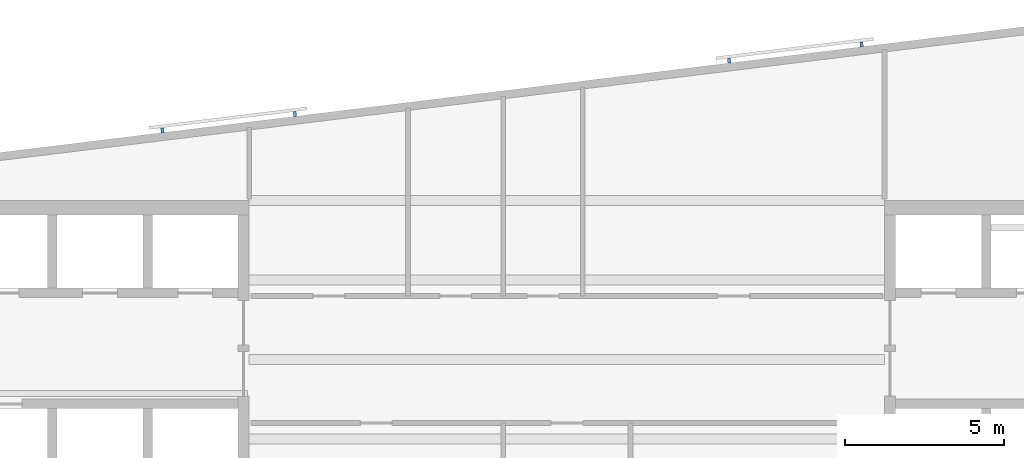
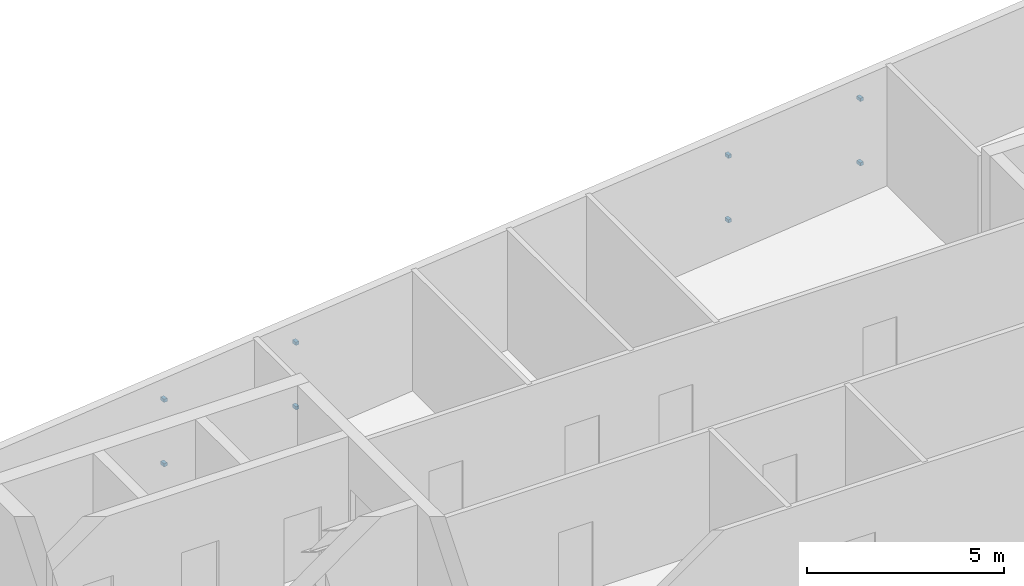
# One storey, part 11 of 14: 8 discrete accessories.
"""IFC4 building model written with IfcOpenShell, lengths in metres."""

from ifc_helpers import new_model, si_unit, direction, frame, origin, origin_2d, place, context, subcontext, project, spatial, rectangle, extrude, material, type_object, element, save


model = new_model("IFC4")

# Units and contexts
model_context = context("Model", 3, precision=1e-05, world=origin(), true_north=direction((0.0, 1.0)))
body_context = subcontext(model_context, "Body", "Model", "MODEL_VIEW")
ifc_project = project(units=[si_unit("LENGTHUNIT", "METRE"), si_unit("AREAUNIT", "SQUARE_METRE"), si_unit("VOLUMEUNIT", "CUBIC_METRE"), si_unit("PLANEANGLEUNIT", "RADIAN"), si_unit("MASSUNIT", "GRAM", prefix="KILO")], contexts=[model_context])

# Site, building, storey
site_placement = place(None, origin())
site = spatial("IfcSite", under=ifc_project, at=site_placement, CompositionType="ELEMENT")
building_placement = place(site_placement, origin())
building = spatial("IfcBuilding", under=site, at=building_placement, Name="Torana Hotel and Residences", CompositionType="ELEMENT")
storey_placement = place(building_placement, frame((0.0, 0.0, 318.60009765625)))
storey = spatial("IfcBuildingStorey", under=building, at=storey_placement, Name="L84", CompositionType="ELEMENT", Elevation=318.60009765625)

# Discrete accessories
ifc_material = material(Name="Steel S355", Category="steel")
discrete_accessory_type = type_object("IfcDiscreteAccessoryType", Name="SCREEN BRACKET 100", PredefinedType="BRACKET", material=ifc_material)
for number, where, z_axis, x_axis, name in (
    (1, (9.277587890625, 4.920654296875, 0.749755859375), (0.0, 0.0, 1.0), (-0.99254657704, -0.121865878765, 0.0), "Screen bracket L84"),
    (2, (9.277587890625, 4.920654296875, 2.749755859375), (0.0, 0.0, 1.0), (-0.99254657704, -0.121865878765, 0.0), "Screen bracket L84"),
    (3, (5.10888671875, 4.40869140625, 0.749755859375), (0.0, 0.0, 1.0), (-0.99254657704, -0.121865878765, 0.0), "Screen bracket L84"),
    (4, (5.10888671875, 4.40869140625, 2.749755859375), (0.0, 0.0, 1.0), (-0.99254657704, -0.121865878765, 0.0), "Screen bracket L84"),
    (5, (-8.563720703125, 2.72998046875, 0.749755859375), (0.0, 0.0, 1.0), (-0.99254657704, -0.121865878765, 0.0), "Screen bracket L84"),
    (6, (-8.563720703125, 2.72998046875, 2.749755859375), (0.0, 0.0, 1.0), (-0.99254657704, -0.121865878765, 0.0), "Screen bracket L84"),
    (7, (-12.732421875, 2.218017578125, 0.749755859375), (0.0, 0.0, 1.0), (-0.99254657704, -0.121865878765, 0.0), "Screen bracket L84"),
    (8, (-12.732421875, 2.218017578125, 2.749755859375), (0.0, 0.0, 1.0), (-0.99254657704, -0.121865878765, 0.0), "Screen bracket L84"),
):
    element("IfcDiscreteAccessory", number, at=place(storey_placement, frame(where, z_axis=z_axis, x_axis=x_axis)), inside=storey, type_object=discrete_accessory_type, Name=name, PredefinedType="BRACKET", context=body_context, shape_type="SweptSolid", body=[
        extrude(rectangle(XDim=0.10009765625, YDim=0.14990234375, at=origin_2d()), origin(), (0.0, 0.0, 1.0), 0.10009765625),
    ])

save(model, "model.ifc")
